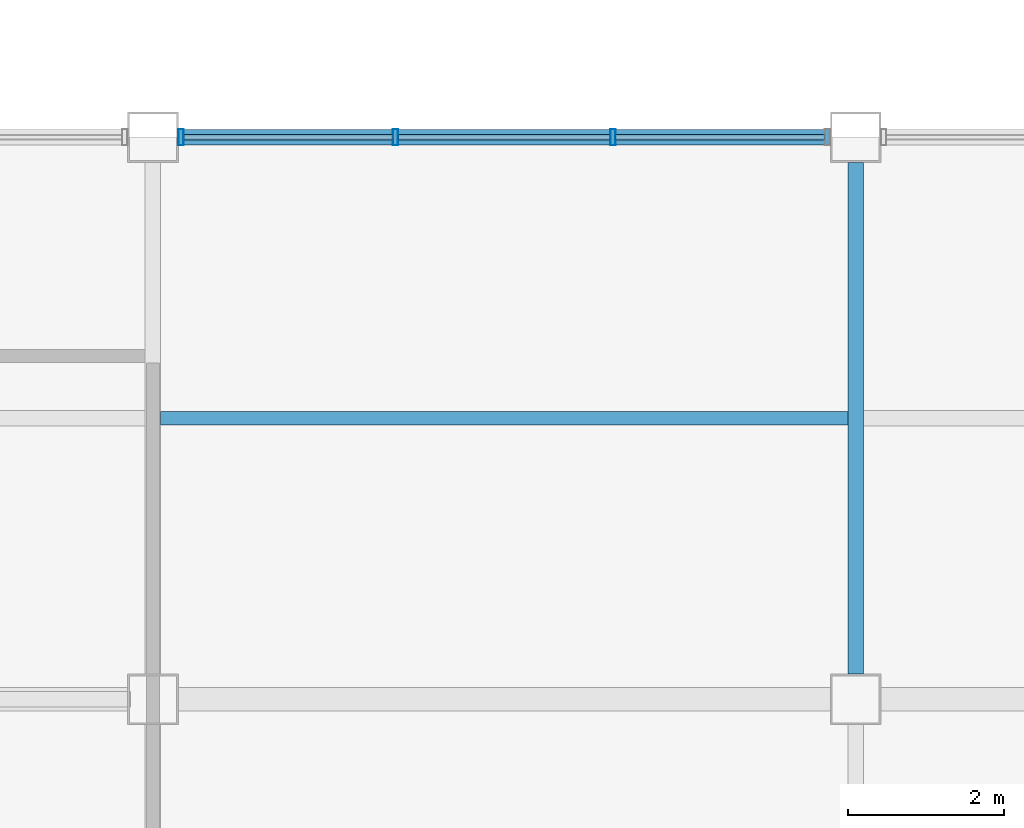
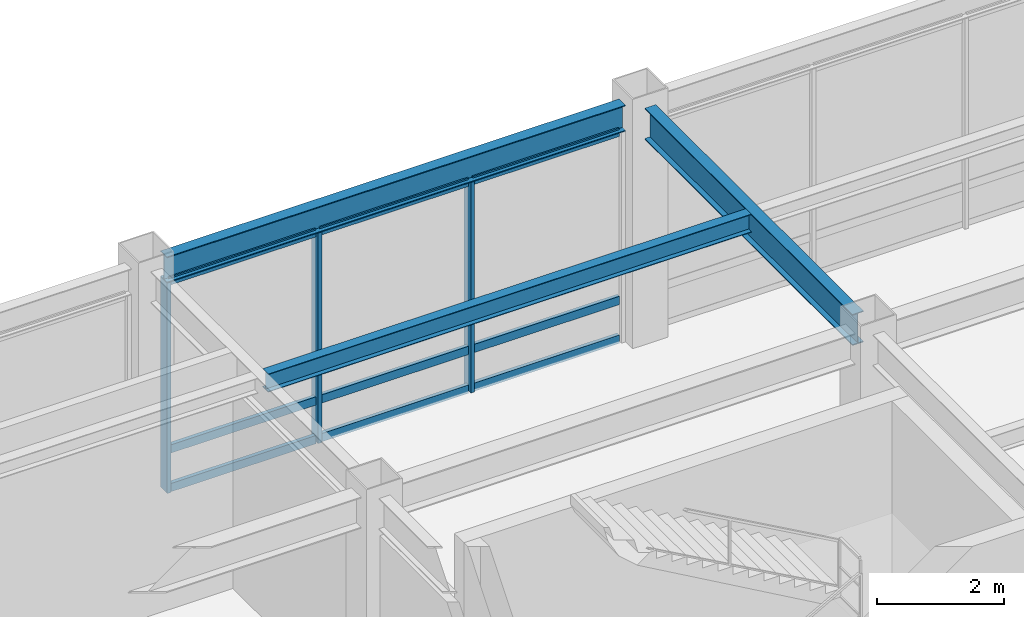
# One storey, part 38 of 112: 12 members, 3 beams, 1 element without a shape of its own.
"""IFC4 building model written with IfcOpenShell, lengths in metres."""

import ifcopenshell
import ifcopenshell.guid

model = None  # the IFC model being written
_history = None  # IfcOwnerHistory: only IFC2X3 demands one
_inside = {}  # id of a spatial element -> (the spatial element, [elements in it])
_under = {}  # id of a project, library or spatial element -> (it, [spatial elements below it])
_declared = {}  # id of a project -> (the project, [libraries it declares])
_typed = {}  # id of a type object -> (the type object, [elements of that type])
_made_of = {}  # id of a material, layer set ... -> (it, [elements and type objects made of it])


def new_model(schema):
    """Start an empty IFC model of exactly this schema.

    Asked for "IFC4X3", IfcOpenShell would pick the latest addendum, in which some entities
    have other attributes; the version numbers below select the first issue.
    IFC2X3 requires an IfcOwnerHistory on every rooted entity: one is made here for all.
    """
    global model, _history
    if schema == "IFC4X3":
        model = ifcopenshell.file(schema_version=(4, 3, 0, 0))
    else:
        model = ifcopenshell.file(schema=schema)
    _inside.clear()
    _under.clear()
    _declared.clear()
    _typed.clear()
    _made_of.clear()
    _history = None
    if model.schema == "IFC2X3":
        org = make("IfcOrganization", Name="unknown")
        user = make(
            "IfcPersonAndOrganization",
            ThePerson=make("IfcPerson", FamilyName="unknown"),
            TheOrganization=org,
        )
        app = make(
            "IfcApplication",
            ApplicationDeveloper=org,
            Version="unknown",
            ApplicationFullName="unknown",
            ApplicationIdentifier="unknown",
        )
        _history = make(
            "IfcOwnerHistory",
            OwningUser=user,
            OwningApplication=app,
            ChangeAction="ADDED",
            CreationDate=0,
        )
    return model


def make(cls, **values):
    """One entity of the class cls with the attributes given. An attribute that is None is left unset."""
    return model.create_entity(
        cls, **{name: value for name, value in values.items() if value is not None}
    )


def rooted(cls, **values):
    """An entity with a GlobalId (a new one), such as an element, a storey or a relation."""
    return make(cls, GlobalId=ifcopenshell.guid.new(), OwnerHistory=_history, **values)


def si_unit(unit_type, name, prefix=None):
    """IfcSIUnit, for example si_unit("LENGTHUNIT", "METRE", prefix="MILLI")."""
    return make("IfcSIUnit", UnitType=unit_type, Prefix=prefix, Name=name)


def assignment(units):
    """IfcUnitAssignment: the units of a project."""
    return None if units is None else make("IfcUnitAssignment", Units=units)


def point(xyz):
    """IfcCartesianPoint."""
    return None if xyz is None else make("IfcCartesianPoint", Coordinates=xyz)


def direction(xyz):
    """IfcDirection."""
    return None if xyz is None else make("IfcDirection", DirectionRatios=xyz)


def frame(location, z_axis=None, x_axis=None):
    """IfcAxis2Placement3D, a coordinate frame: its origin and axes. An axis left out is left unset."""
    return make(
        "IfcAxis2Placement3D",
        Location=point(location),
        Axis=direction(z_axis),
        RefDirection=direction(x_axis),
    )


def frame_2d(location, x_axis=None):
    """IfcAxis2Placement2D, a coordinate frame in the plane: its origin and x axis."""
    return make(
        "IfcAxis2Placement2D", Location=point(location), RefDirection=direction(x_axis)
    )


def origin():
    """The frame at (0, 0, 0) with its axes left unset."""
    return frame((0.0, 0.0, 0.0))


def origin_2d():
    """The frame at (0, 0) in the plane with its x axis left unset."""
    return frame_2d((0.0, 0.0))


def place(relative_to, where):
    """IfcLocalPlacement: puts the frame where relative to a parent placement (None: the world)."""
    return make(
        "IfcLocalPlacement", PlacementRelTo=relative_to, RelativePlacement=where
    )


def context(
    kind, dimensions, precision=None, world=None, true_north=None, identifier=None
):
    """IfcGeometricRepresentationContext, for example the 3D "Model" context."""
    return make(
        "IfcGeometricRepresentationContext",
        ContextIdentifier=identifier,
        ContextType=kind,
        CoordinateSpaceDimension=dimensions,
        Precision=precision,
        WorldCoordinateSystem=world,
        TrueNorth=true_north,
    )


def subcontext(parent, identifier, kind, view, scale=None):
    """IfcGeometricRepresentationSubContext, for example "Body" below "Model"."""
    return make(
        "IfcGeometricRepresentationSubContext",
        ContextIdentifier=identifier,
        ContextType=kind,
        ParentContext=parent,
        TargetScale=scale,
        TargetView=view,
    )


def project(units=None, contexts=None):
    """IfcProject with its units and contexts."""
    return rooted(
        "IfcProject",
        Name="project",
        RepresentationContexts=contexts,
        UnitsInContext=assignment(units),
    )


def spatial(cls, under=None, at=None, **own):
    """A site, building, storey or space (cls), placed at a placement, below another one or the project."""
    s = rooted(cls, ObjectPlacement=at, **own)
    if under is not None:
        _under.setdefault(under.id(), (under, []))[1].append(s)
    return s


def profile(cls, at=None, kind="AREA", **sizes):
    """A parametric profile (cls). Its sizes go by their IFC names, for example OverallWidth=200.0."""
    return make(cls, ProfileType=kind, Position=at, **sizes)


def hollow_rectangle(**sizes):
    """IfcRectangleHollowProfileDef."""
    return profile("IfcRectangleHollowProfileDef", **sizes)


def i_section(**sizes):
    """IfcIShapeProfileDef."""
    return profile("IfcIShapeProfileDef", **sizes)


def extrude(swept, where, along, depth):
    """IfcExtrudedAreaSolid: the profile swept, set in the frame where, extruded along a direction by depth."""
    return make(
        "IfcExtrudedAreaSolid",
        SweptArea=swept,
        Position=where,
        ExtrudedDirection=direction(along),
        Depth=depth,
    )


def shape(context_of_items, identifier, shape_type, items):
    """IfcShapeRepresentation: the items that make up one representation, for example the "Body"."""
    return make(
        "IfcShapeRepresentation",
        ContextOfItems=context_of_items,
        RepresentationIdentifier=identifier,
        RepresentationType=shape_type,
        Items=items,
    )


def material(Name=None, Category=None):
    """IfcMaterial."""
    return make("IfcMaterial", Name=Name, Category=Category)


def material_profile(
    of_material, cross_section, Name=None, Category=None, Priority=None
):
    """IfcMaterialProfile: a cross section and its material."""
    return make(
        "IfcMaterialProfile",
        Name=Name,
        Material=of_material,
        Profile=cross_section,
        Priority=Priority,
        Category=Category,
    )


def profile_set(profiles, Name=None, composite=None):
    """IfcMaterialProfileSet."""
    return make(
        "IfcMaterialProfileSet",
        Name=Name,
        MaterialProfiles=profiles,
        CompositeProfile=composite,
    )


def made_of(thing, what):
    """Note that an element or type object is made of a material, layer set ...; save() writes the relation."""
    if what is not None:
        _made_of.setdefault(what.id(), (what, []))[1].append(thing)
    return thing


def type_object(cls, material=None, **own):
    """A type object (cls), such as IfcWallType, which elements share."""
    return made_of(rooted(cls, **own), material)


def element(
    cls,
    number,
    at=None,
    inside=None,
    cuts=None,
    type_object=None,
    material=None,
    context=None,
    identifier="Body",
    shape_type=None,
    held_by="IfcProductDefinitionShape",
    body=None,
    shapes=None,
    **own,
):
    """One element of the class cls, such as IfcWall. Its Tag is "e" and its number.

    at: its placement. inside: the storey or other place that contains it. cuts: it is an
    opening in that element (IfcRelVoidsElement). A single representation is given by context,
    identifier, shape_type and body (its items); several are given by shapes. held_by: the class
    of the entity that holds the representations. save() writes the other relations.
    """
    e = rooted(cls, Tag="e%d" % number, ObjectPlacement=at, **own)
    if body is not None:
        shapes = [shape(context, identifier, shape_type, body)]
    if shapes is not None:
        e.Representation = make(held_by, Representations=shapes)
    if inside is not None:
        _inside.setdefault(inside.id(), (inside, []))[1].append(e)
    if cuts is not None:
        rooted(
            "IfcRelVoidsElement", RelatingBuildingElement=cuts, RelatedOpeningElement=e
        )
    if type_object is not None:
        _typed.setdefault(type_object.id(), (type_object, []))[1].append(e)
    return made_of(e, material)


def aggregate(whole, parts):
    """IfcRelAggregates: a whole, such as a stair, and the parts it consists of."""
    return rooted("IfcRelAggregates", RelatingObject=whole, RelatedObjects=parts)


def save(model, path):
    """Write the relations noted so far, then the file.

    IfcRelAggregates (storeys below a building ...), IfcRelContainedInSpatialStructure (elements
    in a storey), IfcRelDefinesByType, IfcRelAssociatesMaterial and IfcRelDeclares: one each for
    every whole, place, type object, material and project.
    """
    for whole, parts in _under.values():
        aggregate(whole, parts)
    for where, things in _inside.values():
        rooted(
            "IfcRelContainedInSpatialStructure",
            RelatedElements=things,
            RelatingStructure=where,
        )
    for kind, things in _typed.values():
        rooted("IfcRelDefinesByType", RelatedObjects=things, RelatingType=kind)
    for what, things in _made_of.values():
        rooted("IfcRelAssociatesMaterial", RelatedObjects=things, RelatingMaterial=what)
    for by, libraries in _declared.values():
        rooted("IfcRelDeclares", RelatingContext=by, RelatedDefinitions=libraries)
    model.write(path)


model = new_model("IFC4")

# Units and contexts
model_context = context("Model", 3, precision=1e-05, world=origin(), true_north=direction((0.0, 1.0)))
body_context = subcontext(model_context, "Body", "Model", "MODEL_VIEW")
ifc_project = project(units=[si_unit("LENGTHUNIT", "METRE"), si_unit("AREAUNIT", "SQUARE_METRE"), si_unit("VOLUMEUNIT", "CUBIC_METRE"), si_unit("PLANEANGLEUNIT", "RADIAN"), si_unit("MASSUNIT", "GRAM", prefix="KILO")], contexts=[model_context])

# Site, building, storey
site_placement = place(None, origin())
site = spatial("IfcSite", under=ifc_project, at=site_placement, CompositionType="ELEMENT")
building_placement = place(site_placement, origin())
building = spatial("IfcBuilding", under=site, at=building_placement, Name="Kazanami Central Library", CompositionType="ELEMENT")
storey_placement = place(building_placement, origin())
storey = spatial("IfcBuildingStorey", under=building, at=storey_placement, Name="L01", CompositionType="ELEMENT", Elevation=0.0)

# Beams
ifc_material_1 = material(Name="Steel SN400B (235 MPa)", Category="steel")
ifc_material_profile_1 = material_profile(ifc_material_1, i_section(OverallWidth=0.175048828125, OverallDepth=0.35009765625, WebThickness=0.007080078125, FlangeThickness=0.010986328125, at=origin_2d()), Name="H-350x175x7x11")
ifc_profile_set_1 = profile_set([ifc_material_profile_1], Name="Steel SN400B (235 MPa)")
beam_type_1 = type_object("IfcBeamType", Name="BM-B-S2", PredefinedType="JOIST", material=ifc_profile_set_1)
beam_1_placement = place(storey_placement, frame((72.097900390625, 32.39990234375, 4.3798828125), z_axis=(1.0, 0.0, 0.0), x_axis=(0.0, 1.0, 0.0)))
element("IfcBeam", 1, at=beam_1_placement, inside=storey, type_object=beam_type_1, Name="Composite Secondary Joist B-S2 L01 Bay 9/E.1", PredefinedType="JOIST", context=body_context, shape_type="SweptSolid", body=[
    extrude(i_section(OverallWidth=0.175048828125, OverallDepth=0.35009765625, WebThickness=0.007080078125, FlangeThickness=0.010986328125, at=origin_2d()), origin(), (0.0, 0.0, 1.0), 8.80419921875),
])
ifc_material_2 = material(Name="Steel SN490B (325 MPa)", Category="steel")
ifc_material_profile_2 = material_profile(ifc_material_2, i_section(OverallWidth=0.199951171875, OverallDepth=0.60009765625, WebThickness=0.010986328125, FlangeThickness=0.01708984375, at=origin_2d()), Name="H-600x200x11x17")
ifc_profile_set_2 = profile_set([ifc_material_profile_2], Name="Steel SN490B (325 MPa)")
beam_type_2 = type_object("IfcBeamType", Name="BM-G-Y1", PredefinedType="BEAM", material=ifc_profile_set_2)
beam_2_placement = place(storey_placement, frame((81.0, 29.123046875, 4.2548828125), z_axis=(0.0, 1.0, 0.0), x_axis=(-1.0, 0.0, 0.0)))
element("IfcBeam", 2, at=beam_2_placement, inside=storey, type_object=beam_type_2, Name="Girder G-Y1 L01 10/E-F", PredefinedType="BEAM", context=body_context, shape_type="SweptSolid", body=[
    extrude(i_section(OverallWidth=0.199951171875, OverallDepth=0.60009765625, WebThickness=0.010986328125, FlangeThickness=0.01708984375, at=origin_2d()), origin(), (0.0, 0.0, 1.0), 6.553955078125),
])
ifc_material_profile_3 = material_profile(ifc_material_2, i_section(OverallWidth=0.199951171875, OverallDepth=0.5, WebThickness=0.010009765625, FlangeThickness=0.01611328125, at=origin_2d()), Name="H-500x200x10x16")
ifc_profile_set_3 = profile_set([ifc_material_profile_3], Name="Steel SN490B (325 MPa)")
beam_type_3 = type_object("IfcBeamType", Name="BM-SP-1", PredefinedType="SPANDREL", material=ifc_profile_set_3)
beam_3_placement = place(storey_placement, frame((72.322998046875, 36.0, 4.304931640625), z_axis=(1.0, 0.0, 0.0), x_axis=(0.0, 1.0, 0.0)))
element("IfcBeam", 3, at=beam_3_placement, inside=storey, type_object=beam_type_3, Name="Girder SP-1 L01 F/9-10", PredefinedType="SPANDREL", context=body_context, shape_type="SweptSolid", body=[
    extrude(i_section(OverallWidth=0.199951171875, OverallDepth=0.5, WebThickness=0.010009765625, FlangeThickness=0.01611328125, at=origin_2d()), origin(), (0.0, 0.0, 1.0), 8.35400390625),
])

# Curtain wall, members
ifc_material_3 = material(Name="Acid-Etched Low-E Laminated Glass", Category="glass")
curtain_wall_type = type_object("IfcCurtainWallType", Name="CW-8350x4055-M275", PredefinedType="USERDEFINED", material=ifc_material_3)
curtain_wall_placement = place(storey_placement, origin())
curtain_wall = element("IfcCurtainWall", 4, at=curtain_wall_placement, inside=storey, type_object=curtain_wall_type, Name="Unitised Curtain Wall CW-03 L01 N-F-08", ObjectType="UNITISED CURTAIN WALL", PredefinedType="USERDEFINED")
ifc_material_4 = material(Name="Anodised Aluminium A6063-T5", Category="aluminium")
ifc_material_profile_4 = material_profile(ifc_material_4, hollow_rectangle(XDim=0.070068359375, YDim=0.2099609375, WallThickness=0.0048828125, at=origin_2d()), Name="ALU-MULL-70x210x5")
ifc_profile_set_4 = profile_set([ifc_material_profile_4], Name="Anodised Aluminium A6063-T5")
member_type_1 = type_object("IfcMemberType", Name="MEM-CW-M1", PredefinedType="MULLION", material=ifc_profile_set_4)
member_1_placement = place(storey_placement, frame((77.8916015625, 36.0, 0.0), z_axis=(0.0, 0.0, 1.0), x_axis=(-1.0, 0.0, 0.0)))
member_1 = element("IfcMember", 5, at=member_1_placement, type_object=member_type_1, Name="CW-03 mullion 2", PredefinedType="MULLION", context=body_context, shape_type="SweptSolid", body=[
    extrude(hollow_rectangle(XDim=0.070068359375, YDim=0.2099609375, WallThickness=0.0048828125, at=origin_2d()), origin(), (0.0, 0.0, 1.0), 4.054931640625),
])
member_2_placement = place(storey_placement, frame((75.1083984375, 36.0, 0.0), z_axis=(0.0, 0.0, 1.0), x_axis=(-1.0, 0.0, 0.0)))
member_2 = element("IfcMember", 6, at=member_2_placement, type_object=member_type_1, Name="CW-03 mullion 3", PredefinedType="MULLION", context=body_context, shape_type="SweptSolid", body=[
    extrude(hollow_rectangle(XDim=0.070068359375, YDim=0.2099609375, WallThickness=0.0048828125, at=origin_2d()), origin(), (0.0, 0.0, 1.0), 4.054931640625),
])
member_3_placement = place(storey_placement, frame((72.360107421875, 36.0, 0.0), z_axis=(0.0, 0.0, 1.0), x_axis=(-1.0, 0.0, 0.0)))
member_3 = element("IfcMember", 7, at=member_3_placement, type_object=member_type_1, Name="CW-03 mullion 4", PredefinedType="MULLION", context=body_context, shape_type="SweptSolid", body=[
    extrude(hollow_rectangle(XDim=0.070068359375, YDim=0.2099609375, WallThickness=0.0048828125, at=origin_2d()), origin(), (0.0, 0.0, 1.0), 4.054931640625),
])
ifc_material_profile_5 = material_profile(ifc_material_4, hollow_rectangle(XDim=0.070068359375, YDim=0.159912109375, WallThickness=0.00390625, at=origin_2d()), Name="ALU-TRAN-70x160x4")
ifc_profile_set_5 = profile_set([ifc_material_profile_5], Name="Anodised Aluminium A6063-T5")
member_type_2 = type_object("IfcMemberType", Name="MEM-CW-T1", PredefinedType="USERDEFINED", material=ifc_profile_set_5)
member_4_placement = place(storey_placement, frame((80.60498046875, 36.0, 0.034912109375), z_axis=(-1.0, 0.0, 0.0), x_axis=(0.0, -1.0, 0.0)))
member_4 = element("IfcMember", 8, at=member_4_placement, type_object=member_type_2, Name="CW-03 transom 1.1", ObjectType="TRANSOM", PredefinedType="USERDEFINED", context=body_context, shape_type="SweptSolid", body=[
    extrude(hollow_rectangle(XDim=0.070068359375, YDim=0.159912109375, WallThickness=0.00390625, at=origin_2d()), origin(), (0.0, 0.0, 1.0), 2.67822265625),
])
member_5_placement = place(storey_placement, frame((80.60498046875, 36.0, 0.780029296875), z_axis=(-1.0, 0.0, 0.0), x_axis=(0.0, -1.0, 0.0)))
member_5 = element("IfcMember", 9, at=member_5_placement, type_object=member_type_2, Name="CW-03 transom 1.2", ObjectType="TRANSOM", PredefinedType="USERDEFINED", context=body_context, shape_type="SweptSolid", body=[
    extrude(hollow_rectangle(XDim=0.070068359375, YDim=0.159912109375, WallThickness=0.00390625, at=origin_2d()), origin(), (0.0, 0.0, 1.0), 2.67822265625),
])
member_6_placement = place(storey_placement, frame((80.60498046875, 36.0, 4.02001953125), z_axis=(-1.0, 0.0, 0.0), x_axis=(0.0, -1.0, 0.0)))
member_6 = element("IfcMember", 10, at=member_6_placement, type_object=member_type_2, Name="CW-03 transom 1.3", ObjectType="TRANSOM", PredefinedType="USERDEFINED", context=body_context, shape_type="SweptSolid", body=[
    extrude(hollow_rectangle(XDim=0.070068359375, YDim=0.159912109375, WallThickness=0.00390625, at=origin_2d()), origin(), (0.0, 0.0, 1.0), 2.67822265625),
])
member_7_placement = place(storey_placement, frame((77.856689453125, 36.0, 0.034912109375), z_axis=(-1.0, 0.0, 0.0), x_axis=(0.0, -1.0, 0.0)))
member_7 = element("IfcMember", 11, at=member_7_placement, type_object=member_type_2, Name="CW-03 transom 2.1", ObjectType="TRANSOM", PredefinedType="USERDEFINED", context=body_context, shape_type="SweptSolid", body=[
    extrude(hollow_rectangle(XDim=0.070068359375, YDim=0.159912109375, WallThickness=0.00390625, at=origin_2d()), origin(), (0.0, 0.0, 1.0), 2.71337890625),
])
member_8_placement = place(storey_placement, frame((77.856689453125, 36.0, 0.780029296875), z_axis=(-1.0, 0.0, 0.0), x_axis=(0.0, -1.0, 0.0)))
member_8 = element("IfcMember", 12, at=member_8_placement, type_object=member_type_2, Name="CW-03 transom 2.2", ObjectType="TRANSOM", PredefinedType="USERDEFINED", context=body_context, shape_type="SweptSolid", body=[
    extrude(hollow_rectangle(XDim=0.070068359375, YDim=0.159912109375, WallThickness=0.00390625, at=origin_2d()), origin(), (0.0, 0.0, 1.0), 2.71337890625),
])
member_9_placement = place(storey_placement, frame((77.856689453125, 36.0, 4.02001953125), z_axis=(-1.0, 0.0, 0.0), x_axis=(0.0, -1.0, 0.0)))
member_9 = element("IfcMember", 13, at=member_9_placement, type_object=member_type_2, Name="CW-03 transom 2.3", ObjectType="TRANSOM", PredefinedType="USERDEFINED", context=body_context, shape_type="SweptSolid", body=[
    extrude(hollow_rectangle(XDim=0.070068359375, YDim=0.159912109375, WallThickness=0.00390625, at=origin_2d()), origin(), (0.0, 0.0, 1.0), 2.71337890625),
])
member_10_placement = place(storey_placement, frame((75.0732421875, 36.0, 0.034912109375), z_axis=(-1.0, 0.0, 0.0), x_axis=(0.0, -1.0, 0.0)))
member_10 = element("IfcMember", 14, at=member_10_placement, type_object=member_type_2, Name="CW-03 transom 3.1", ObjectType="TRANSOM", PredefinedType="USERDEFINED", context=body_context, shape_type="SweptSolid", body=[
    extrude(hollow_rectangle(XDim=0.070068359375, YDim=0.159912109375, WallThickness=0.00390625, at=origin_2d()), origin(), (0.0, 0.0, 1.0), 2.67822265625),
])
member_11_placement = place(storey_placement, frame((75.0732421875, 36.0, 0.780029296875), z_axis=(-1.0, 0.0, 0.0), x_axis=(0.0, -1.0, 0.0)))
member_11 = element("IfcMember", 15, at=member_11_placement, type_object=member_type_2, Name="CW-03 transom 3.2", ObjectType="TRANSOM", PredefinedType="USERDEFINED", context=body_context, shape_type="SweptSolid", body=[
    extrude(hollow_rectangle(XDim=0.070068359375, YDim=0.159912109375, WallThickness=0.00390625, at=origin_2d()), origin(), (0.0, 0.0, 1.0), 2.67822265625),
])
member_12_placement = place(storey_placement, frame((75.0732421875, 36.0, 4.02001953125), z_axis=(-1.0, 0.0, 0.0), x_axis=(0.0, -1.0, 0.0)))
member_12 = element("IfcMember", 16, at=member_12_placement, type_object=member_type_2, Name="CW-03 transom 3.3", ObjectType="TRANSOM", PredefinedType="USERDEFINED", context=body_context, shape_type="SweptSolid", body=[
    extrude(hollow_rectangle(XDim=0.070068359375, YDim=0.159912109375, WallThickness=0.00390625, at=origin_2d()), origin(), (0.0, 0.0, 1.0), 2.67822265625),
])
aggregate(curtain_wall, [member_1, member_2, member_3, member_4, member_5, member_6, member_7, member_8, member_9, member_10, member_11, member_12])

save(model, "model.ifc")
